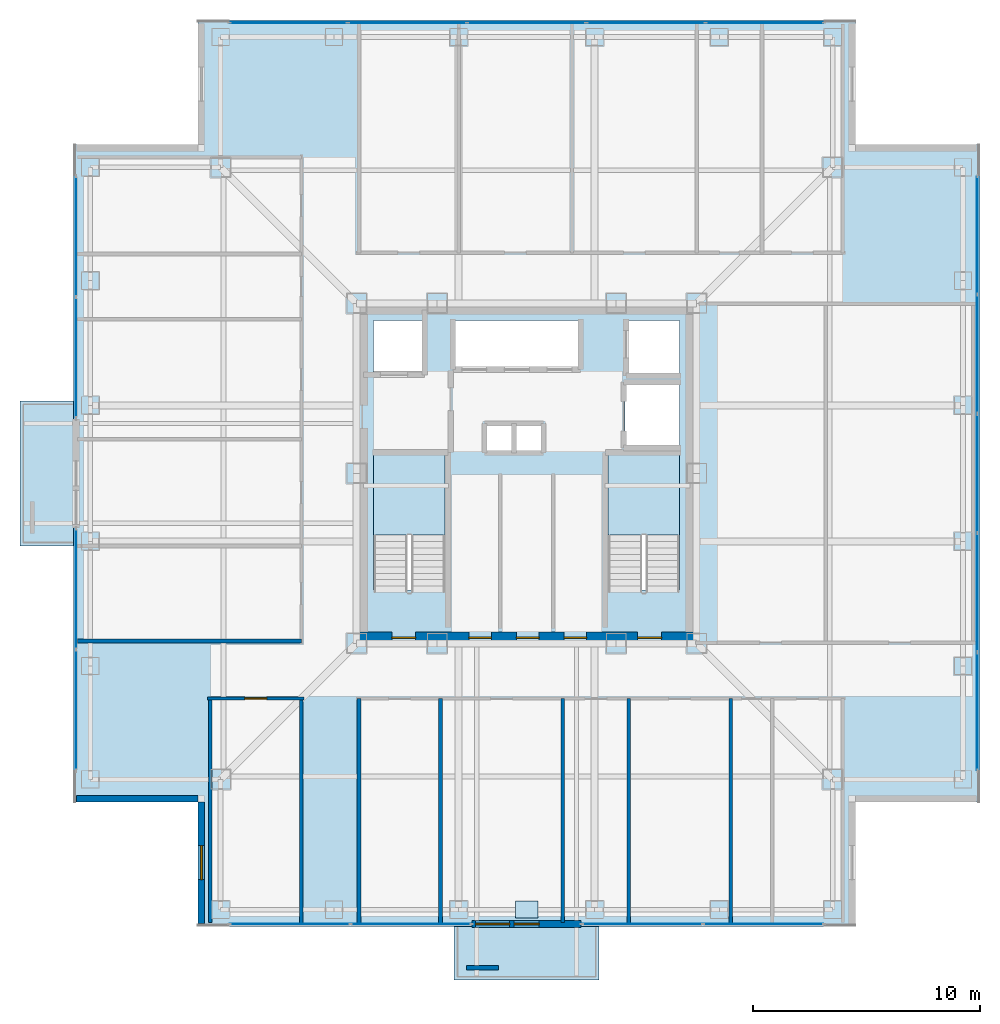
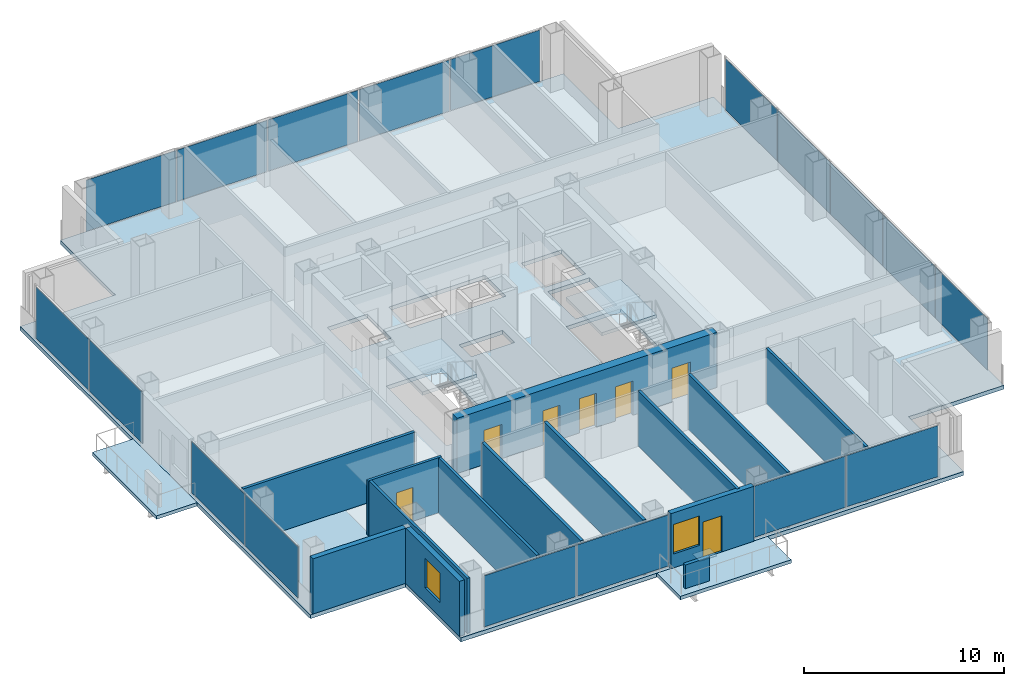
# One storey, part 10 of 16: 19 plates, 14 walls, 7 doors, 5 slabs, 2 windows, 9 openings, 8 elements without a shape of their own.
"""IFC4 building model written with IfcOpenShell, lengths in metres."""

from ifc_helpers import new_model, si_unit, direction, frame, frame_2d, origin, origin_2d, place, context, subcontext, project, spatial, polyline, rectangle, outline, extrude, material, layer, layer_set, type_object, element, fill, aggregate, save


model = new_model("IFC4")

# Units and contexts
model_context = context("Model", 3, precision=1e-05, world=origin(), true_north=direction((0.0, 1.0)))
body_context = subcontext(model_context, "Body", "Model", "MODEL_VIEW")
ifc_project = project(units=[si_unit("LENGTHUNIT", "METRE"), si_unit("AREAUNIT", "SQUARE_METRE"), si_unit("VOLUMEUNIT", "CUBIC_METRE"), si_unit("PLANEANGLEUNIT", "RADIAN"), si_unit("MASSUNIT", "GRAM", prefix="KILO")], contexts=[model_context])

# Site, building, storey
site_placement = place(None, origin())
site = spatial("IfcSite", under=ifc_project, at=site_placement, CompositionType="ELEMENT")
building_placement = place(site_placement, origin())
building = spatial("IfcBuilding", under=site, at=building_placement, Name="Trevonay Congress Spire", CompositionType="ELEMENT")
storey_placement = place(building_placement, frame((0.0, 0.0, 177.0)))
storey = spatial("IfcBuildingStorey", under=building, at=storey_placement, Name="L45", CompositionType="ELEMENT", Elevation=177.0)

# Curtain wall, plates
ifc_material_1 = material(Name="Pale Anodised Aluminium EN AW-6063-T6", Category="aluminium")
ifc_layer_1 = layer(ifc_material_1, 0.169921875, Name="Pale Anodised Aluminium EN AW-6063-T6")
ifc_layer_set_1 = layer_set([ifc_layer_1], Name="Pale Anodised Aluminium EN AW-6063-T6")
curtain_wall_type = type_object("IfcCurtainWallType", Name="CW-SYS04-CORP-PALE-METAL", PredefinedType="NOTDEFINED", material=ifc_layer_set_1)
curtain_wall_1_placement = place(storey_placement, origin())
curtain_wall_1 = element("IfcCurtainWall", 1, at=curtain_wall_1_placement, inside=storey, type_object=curtain_wall_type, Name="L45 SA unitised curtain wall", PredefinedType="NOTDEFINED")
ifc_material_2 = material(Name="Insulated Low-E Vision Glass IGU", Category="glass")
ifc_layer_2 = layer(ifc_material_2, 0.035888671875, Name="Insulated Low-E Vision Glass IGU")
ifc_layer_set_2 = layer_set([ifc_layer_2], Name="Insulated Low-E Vision Glass IGU")
plate_type_1 = type_object("IfcPlateType", Name="CW-PANEL-IGU36-SILVER", PredefinedType="CURTAIN_PANEL", material=ifc_layer_set_2)
plate_1_placement = place(storey_placement, frame((-10.447509765625, -19.8798828125, 0.119873046875), z_axis=(0.0, 0.0, 1.0), x_axis=(1.0, 0.0, 0.0)))
plate_1 = element("IfcPlate", 2, at=plate_1_placement, type_object=plate_type_1, Name="CW04 panel 1.1", PredefinedType="CURTAIN_PANEL", context=body_context, shape_type="SweptSolid", body=[
    extrude(rectangle(XDim=5.284912109375, YDim=0.035888671875, at=origin_2d()), origin(), (0.0, 0.0, 1.0), 3.1201171875),
])
plate_2_placement = place(storey_placement, frame((-5.1025390625, -19.8798828125, 0.119873046875), z_axis=(0.0, 0.0, 1.0), x_axis=(1.0, 0.0, 0.0)))
plate_2 = element("IfcPlate", 3, at=plate_2_placement, type_object=plate_type_1, Name="CW04 panel 2.1", PredefinedType="CURTAIN_PANEL", context=body_context, shape_type="SweptSolid", body=[
    extrude(rectangle(XDim=5.284912109375, YDim=0.035888671875, at=origin_2d()), origin(), (0.0, 0.0, 1.0), 3.1201171875),
])
aggregate(curtain_wall_1, [plate_1, plate_2])

curtain_wall_2_placement = place(storey_placement, origin())
curtain_wall_2 = element("IfcCurtainWall", 4, at=curtain_wall_2_placement, inside=storey, type_object=curtain_wall_type, Name="L45 SB unitised curtain wall", PredefinedType="NOTDEFINED")
plate_3_placement = place(storey_placement, frame((5.1025390625, -19.8798828125, 0.119873046875), z_axis=(0.0, 0.0, 1.0), x_axis=(1.0, 0.0, 0.0)))
plate_3 = element("IfcPlate", 5, at=plate_3_placement, type_object=plate_type_1, Name="CW04 panel 1.1", PredefinedType="CURTAIN_PANEL", context=body_context, shape_type="SweptSolid", body=[
    extrude(rectangle(XDim=5.284912109375, YDim=0.035888671875, at=origin_2d()), origin(), (0.0, 0.0, 1.0), 3.1201171875),
])
plate_4_placement = place(storey_placement, frame((10.447509765625, -19.8798828125, 0.119873046875), z_axis=(0.0, 0.0, 1.0), x_axis=(1.0, 0.0, 0.0)))
plate_4 = element("IfcPlate", 6, at=plate_4_placement, type_object=plate_type_1, Name="CW04 panel 2.1", PredefinedType="CURTAIN_PANEL", context=body_context, shape_type="SweptSolid", body=[
    extrude(rectangle(XDim=5.284912109375, YDim=0.035888671875, at=origin_2d()), origin(), (0.0, 0.0, 1.0), 3.1201171875),
])
aggregate(curtain_wall_2, [plate_3, plate_4])

curtain_wall_3_placement = place(storey_placement, origin())
curtain_wall_3 = element("IfcCurtainWall", 7, at=curtain_wall_3_placement, inside=storey, type_object=curtain_wall_type, Name="L45 N unitised curtain wall", PredefinedType="NOTDEFINED")
plate_5_placement = place(storey_placement, frame((-10.5048828125, 19.8798828125, 0.119873046875), z_axis=(0.0, 0.0, 1.0), x_axis=(1.0, 0.0, 0.0)))
plate_5 = element("IfcPlate", 8, at=plate_5_placement, type_object=plate_type_1, Name="CW04 panel 1.1", PredefinedType="CURTAIN_PANEL", context=body_context, shape_type="SweptSolid", body=[
    extrude(rectangle(XDim=5.169921875, YDim=0.035888671875, at=origin_2d()), origin(), (0.0, 0.0, 1.0), 3.1201171875),
])
plate_6_placement = place(storey_placement, frame((-5.260009765625, 19.8798828125, 0.119873046875), z_axis=(0.0, 0.0, 1.0), x_axis=(1.0, 0.0, 0.0)))
plate_6 = element("IfcPlate", 9, at=plate_6_placement, type_object=plate_type_1, Name="CW04 panel 2.1", PredefinedType="CURTAIN_PANEL", context=body_context, shape_type="SweptSolid", body=[
    extrude(rectangle(XDim=5.199951171875, YDim=0.035888671875, at=origin_2d()), origin(), (0.0, 0.0, 1.0), 3.1201171875),
])
plate_7_placement = place(storey_placement, frame((0.0, 19.8798828125, 0.119873046875), z_axis=(0.0, 0.0, 1.0), x_axis=(1.0, 0.0, 0.0)))
plate_7 = element("IfcPlate", 10, at=plate_7_placement, type_object=plate_type_1, Name="CW04 panel 3.1", PredefinedType="CURTAIN_PANEL", context=body_context, shape_type="SweptSolid", body=[
    extrude(rectangle(XDim=5.199951171875, YDim=0.035888671875, at=origin_2d()), origin(), (0.0, 0.0, 1.0), 3.1201171875),
])
plate_8_placement = place(storey_placement, frame((5.260009765625, 19.8798828125, 0.119873046875), z_axis=(0.0, 0.0, 1.0), x_axis=(1.0, 0.0, 0.0)))
plate_8 = element("IfcPlate", 11, at=plate_8_placement, type_object=plate_type_1, Name="CW04 panel 4.1", PredefinedType="CURTAIN_PANEL", context=body_context, shape_type="SweptSolid", body=[
    extrude(rectangle(XDim=5.199951171875, YDim=0.035888671875, at=origin_2d()), origin(), (0.0, 0.0, 1.0), 3.1201171875),
])
plate_9_placement = place(storey_placement, frame((10.5048828125, 19.8798828125, 0.119873046875), z_axis=(0.0, 0.0, 1.0), x_axis=(1.0, 0.0, 0.0)))
plate_9 = element("IfcPlate", 12, at=plate_9_placement, type_object=plate_type_1, Name="CW04 panel 5.1", PredefinedType="CURTAIN_PANEL", context=body_context, shape_type="SweptSolid", body=[
    extrude(rectangle(XDim=5.169921875, YDim=0.035888671875, at=origin_2d()), origin(), (0.0, 0.0, 1.0), 3.1201171875),
])
aggregate(curtain_wall_3, [plate_5, plate_6, plate_7, plate_8, plate_9])

curtain_wall_4_placement = place(storey_placement, origin())
curtain_wall_4 = element("IfcCurtainWall", 13, at=curtain_wall_4_placement, inside=storey, type_object=curtain_wall_type, Name="L45 WA unitised curtain wall", PredefinedType="NOTDEFINED")
plate_10_placement = place(storey_placement, frame((-19.8798828125, -10.447509765625, 0.119873046875), z_axis=(0.0, 0.0, 1.0), x_axis=(0.0, 1.0, 0.0)))
plate_10 = element("IfcPlate", 14, at=plate_10_placement, type_object=plate_type_1, Name="CW04 panel 1.1", PredefinedType="CURTAIN_PANEL", context=body_context, shape_type="SweptSolid", body=[
    extrude(rectangle(XDim=5.284912109375, YDim=0.035888671875, at=origin_2d()), origin(), (0.0, 0.0, 1.0), 3.1201171875),
])
plate_11_placement = place(storey_placement, frame((-19.8798828125, -5.1025390625, 0.119873046875), z_axis=(0.0, 0.0, 1.0), x_axis=(0.0, 1.0, 0.0)))
plate_11 = element("IfcPlate", 15, at=plate_11_placement, type_object=plate_type_1, Name="CW04 panel 2.1", PredefinedType="CURTAIN_PANEL", context=body_context, shape_type="SweptSolid", body=[
    extrude(rectangle(XDim=5.284912109375, YDim=0.035888671875, at=origin_2d()), origin(), (0.0, 0.0, 1.0), 3.1201171875),
])
aggregate(curtain_wall_4, [plate_10, plate_11])

curtain_wall_5_placement = place(storey_placement, origin())
curtain_wall_5 = element("IfcCurtainWall", 16, at=curtain_wall_5_placement, inside=storey, type_object=curtain_wall_type, Name="L45 WB unitised curtain wall", PredefinedType="NOTDEFINED")
plate_12_placement = place(storey_placement, frame((-19.8798828125, 5.1025390625, 0.119873046875), z_axis=(0.0, 0.0, 1.0), x_axis=(0.0, 1.0, 0.0)))
plate_12 = element("IfcPlate", 17, at=plate_12_placement, type_object=plate_type_1, Name="CW04 panel 1.1", PredefinedType="CURTAIN_PANEL", context=body_context, shape_type="SweptSolid", body=[
    extrude(rectangle(XDim=5.284912109375, YDim=0.035888671875, at=origin_2d()), origin(), (0.0, 0.0, 1.0), 3.1201171875),
])
plate_13_placement = place(storey_placement, frame((-19.8798828125, 10.447509765625, 0.119873046875), z_axis=(0.0, 0.0, 1.0), x_axis=(0.0, 1.0, 0.0)))
plate_13 = element("IfcPlate", 18, at=plate_13_placement, type_object=plate_type_1, Name="CW04 panel 2.1", PredefinedType="CURTAIN_PANEL", context=body_context, shape_type="SweptSolid", body=[
    extrude(rectangle(XDim=5.284912109375, YDim=0.035888671875, at=origin_2d()), origin(), (0.0, 0.0, 1.0), 3.1201171875),
])
aggregate(curtain_wall_5, [plate_12, plate_13])

curtain_wall_6_placement = place(storey_placement, origin())
curtain_wall_6 = element("IfcCurtainWall", 19, at=curtain_wall_6_placement, inside=storey, type_object=curtain_wall_type, Name="L45 E unitised curtain wall", PredefinedType="NOTDEFINED")
plate_14_placement = place(storey_placement, frame((19.8798828125, -10.5048828125, 0.119873046875), z_axis=(0.0, 0.0, 1.0), x_axis=(0.0, 1.0, 0.0)))
plate_14 = element("IfcPlate", 20, at=plate_14_placement, type_object=plate_type_1, Name="CW04 panel 1.1", PredefinedType="CURTAIN_PANEL", context=body_context, shape_type="SweptSolid", body=[
    extrude(rectangle(XDim=5.169921875, YDim=0.035888671875, at=origin_2d()), origin(), (0.0, 0.0, 1.0), 3.1201171875),
])
plate_15_placement = place(storey_placement, frame((19.8798828125, -5.260009765625, 0.119873046875), z_axis=(0.0, 0.0, 1.0), x_axis=(0.0, 1.0, 0.0)))
plate_15 = element("IfcPlate", 21, at=plate_15_placement, type_object=plate_type_1, Name="CW04 panel 2.1", PredefinedType="CURTAIN_PANEL", context=body_context, shape_type="SweptSolid", body=[
    extrude(rectangle(XDim=5.199951171875, YDim=0.035888671875, at=origin_2d()), origin(), (0.0, 0.0, 1.0), 3.1201171875),
])
plate_16_placement = place(storey_placement, frame((19.8798828125, 0.0, 0.119873046875), z_axis=(0.0, 0.0, 1.0), x_axis=(0.0, 1.0, 0.0)))
plate_16 = element("IfcPlate", 22, at=plate_16_placement, type_object=plate_type_1, Name="CW04 panel 3.1", PredefinedType="CURTAIN_PANEL", context=body_context, shape_type="SweptSolid", body=[
    extrude(rectangle(XDim=5.199951171875, YDim=0.035888671875, at=origin_2d()), origin(), (0.0, 0.0, 1.0), 3.1201171875),
])
plate_17_placement = place(storey_placement, frame((19.8798828125, 5.260009765625, 0.119873046875), z_axis=(0.0, 0.0, 1.0), x_axis=(0.0, 1.0, 0.0)))
plate_17 = element("IfcPlate", 23, at=plate_17_placement, type_object=plate_type_1, Name="CW04 panel 4.1", PredefinedType="CURTAIN_PANEL", context=body_context, shape_type="SweptSolid", body=[
    extrude(rectangle(XDim=5.199951171875, YDim=0.035888671875, at=origin_2d()), origin(), (0.0, 0.0, 1.0), 3.1201171875),
])
plate_18_placement = place(storey_placement, frame((19.8798828125, 10.5048828125, 0.119873046875), z_axis=(0.0, 0.0, 1.0), x_axis=(0.0, 1.0, 0.0)))
plate_18 = element("IfcPlate", 24, at=plate_18_placement, type_object=plate_type_1, Name="CW04 panel 5.1", PredefinedType="CURTAIN_PANEL", context=body_context, shape_type="SweptSolid", body=[
    extrude(rectangle(XDim=5.169921875, YDim=0.035888671875, at=origin_2d()), origin(), (0.0, 0.0, 1.0), 3.1201171875),
])
aggregate(curtain_wall_6, [plate_14, plate_15, plate_16, plate_17, plate_18])

# Plate
ifc_material_3 = material(Name="Steel ASTM A572 Grade 50", Category="steel")
ifc_layer_3 = layer(ifc_material_3, 0.034912109375, Name="Steel ASTM A572 Grade 50")
ifc_layer_set_3 = layer_set([ifc_layer_3], Name="Steel ASTM A572 Grade 50")
plate_type_2 = type_object("IfcPlateType", Name="PLT-GUSSET-EXT-35", PredefinedType="USERDEFINED", material=ifc_layer_set_3)
plate_19_placement = place(storey_placement, frame((0.0, -19.25, -0.4873046875), z_axis=(0.0, 0.0, 1.0), x_axis=(1.0, 0.0, 0.0)))
element("IfcPlate", 25, at=plate_19_placement, inside=storey, type_object=plate_type_2, Name="L45 cantilevered tree-balcony lookout gusset plate CN-01", ObjectType="GUSSET_PLATE", PredefinedType="USERDEFINED", context=body_context, shape_type="SweptSolid", body=[
    extrude(rectangle(XDim=1.0, YDim=0.75, at=origin_2d()), origin(), (0.0, 0.0, 1.0), 0.034912109375),
])

# Stair, slab
ifc_material_4 = material(Name="Concrete C40/50", Category="concrete")
stair_type_1 = type_object("IfcStairType", Name="STR-ST-1", PredefinedType="HALF_TURN_STAIR", material=ifc_material_4)
stair_1_placement = place(storey_placement, origin())
stair_1 = element("IfcStair", 26, at=stair_1_placement, inside=storey, type_object=stair_type_1, Name="L45 Protected Exit Stair ST-1", PredefinedType="HALF_TURN_STAIR")
ifc_layer_4 = layer(ifc_material_4, 0.199951171875, Name="Concrete C40/50")
ifc_layer_set_4 = layer_set([ifc_layer_4], Name="Concrete C40/50")
slab_type_1 = type_object("IfcSlabType", Name="SLB-STAIR-LAND-200", PredefinedType="LANDING", material=ifc_layer_set_4)
slab_1_placement = place(storey_placement, frame((0.0, 0.0, 1.60009765625)))
slab_1 = element("IfcSlab", 27, at=slab_1_placement, type_object=slab_type_1, Name="ST-1 landing 1", PredefinedType="LANDING", context=body_context, shape_type="SweptSolid", body=[
    extrude(outline(polyline([(-3.60009765625, -2.72998046875), (-3.60009765625, 0.85009765625), (-6.75, 0.85009765625), (-6.75, -2.72998046875), (-3.60009765625, -2.72998046875)])), origin(), (0.0, 0.0, 1.0), 0.199951171875),
])
aggregate(stair_1, [slab_1])

stair_type_2 = type_object("IfcStairType", Name="STR-ST-2", PredefinedType="HALF_TURN_STAIR", material=ifc_material_4)
stair_2_placement = place(storey_placement, origin())
stair_2 = element("IfcStair", 28, at=stair_2_placement, inside=storey, type_object=stair_type_2, Name="L45 Protected Exit Stair ST-2", PredefinedType="HALF_TURN_STAIR")
slab_2_placement = place(storey_placement, frame((0.0, 0.0, 1.60009765625)))
slab_2 = element("IfcSlab", 29, at=slab_2_placement, type_object=slab_type_1, Name="ST-2 landing 1", PredefinedType="LANDING", context=body_context, shape_type="SweptSolid", body=[
    extrude(outline(polyline([(6.75, -2.72998046875), (6.75, 0.85009765625), (3.60009765625, 0.85009765625), (3.60009765625, -2.72998046875), (6.75, -2.72998046875)])), origin(), (0.0, 0.0, 1.0), 0.199951171875),
])
aggregate(stair_2, [slab_2])

# Slabs
ifc_layer_5 = layer(ifc_material_4, 0.239990234375, Name="Concrete C40/50")
ifc_layer_set_5 = layer_set([ifc_layer_5], Name="Concrete C40/50")
slab_type_2 = type_object("IfcSlabType", Name="SLB-TOW2-240", PredefinedType="FLOOR", material=ifc_layer_set_5)
slab_3_placement = place(storey_placement, frame((0.0, 0.0, -0.239990234375)))
element("IfcSlab", 30, at=slab_3_placement, inside=storey, type_object=slab_type_2, Name="L45 structural floor slab", PredefinedType="FLOOR", context=body_context, shape_type="SweptSolid", body=[
    extrude(outline(polyline([(-14.5, -20.0), (14.5, -20.0), (14.5, -14.5), (20.0, -14.5), (20.0, 14.5), (14.5, 14.5), (14.5, 20.0), (-14.5, 20.0), (-14.5, 14.5), (-20.0, 14.5), (-20.0, -14.5), (-14.5, -14.5), (-14.5, -20.0)]), holes=[polyline([(-3.60009765625, -5.14990234375), (-3.60009765625, 0.85009765625), (-6.75, 0.85009765625), (-6.75, -5.14990234375), (-3.60009765625, -5.14990234375)]), polyline([(6.75, -5.14990234375), (6.75, 0.85009765625), (3.60009765625, 0.85009765625), (3.60009765625, -5.14990234375), (6.75, -5.14990234375)]), polyline([(-3.199951171875, 4.64990234375), (2.340087890625, 4.64990234375), (2.340087890625, 6.75), (-3.199951171875, 6.75), (-3.199951171875, 4.64990234375)]), polyline([(-6.75, 4.35009765625), (-4.449951171875, 4.35009765625), (-4.449951171875, 6.75), (-6.75, 6.75), (-6.75, 4.35009765625)]), polyline([(4.449951171875, 4.35009765625), (6.75, 4.35009765625), (6.75, 6.75), (4.449951171875, 6.75), (4.449951171875, 4.35009765625)]), polyline([(4.35009765625, 1.199951171875), (6.75, 1.199951171875), (6.75, 3.949951171875), (4.35009765625, 3.949951171875), (4.35009765625, 1.199951171875)]), polyline([(-1.800048828125, 0.949951171875), (0.699951171875, 0.949951171875), (0.699951171875, 2.14990234375), (-1.800048828125, 2.14990234375), (-1.800048828125, 0.949951171875)])]), origin(), (0.0, 0.0, 1.0), 0.239990234375),
])
ifc_layer_6 = layer(ifc_material_4, 0.2099609375, Name="Concrete C40/50")
ifc_layer_set_6 = layer_set([ifc_layer_6], Name="Concrete C40/50")
slab_type_3 = type_object("IfcSlabType", Name="SLB-TREEBAL-210", PredefinedType="FLOOR", material=ifc_layer_set_6)
slab_4_placement = place(storey_placement, frame((0.0, 0.0, -0.2099609375)))
element("IfcSlab", 31, at=slab_4_placement, inside=storey, type_object=slab_type_3, Name="L45 cantilevered tree-planter balcony pod S", PredefinedType="FLOOR", context=body_context, shape_type="SweptSolid", body=[
    extrude(outline(polyline([(-3.199951171875, -22.35009765625), (3.199951171875, -22.35009765625), (3.199951171875, -20.0), (-3.199951171875, -20.0), (-3.199951171875, -22.35009765625)])), origin(), (0.0, 0.0, 1.0), 0.2099609375),
])
slab_5_placement = place(storey_placement, frame((0.0, 0.0, -0.2099609375)))
element("IfcSlab", 32, at=slab_5_placement, inside=storey, type_object=slab_type_3, Name="L45 cantilevered tree-planter balcony pod W", PredefinedType="FLOOR", context=body_context, shape_type="SweptSolid", body=[
    extrude(outline(polyline([(-22.35009765625, -3.199951171875), (-20.0, -3.199951171875), (-20.0, 3.199951171875), (-22.35009765625, 3.199951171875), (-22.35009765625, -3.199951171875)])), origin(), (0.0, 0.0, 1.0), 0.2099609375),
])

# Wall, openings, doors
ifc_material_5 = material(Name="Concrete C50/60", Category="concrete")
ifc_layer_7 = layer(ifc_material_5, 0.5, Name="Concrete C50/60")
ifc_layer_set_7 = layer_set([ifc_layer_7], Name="Concrete C50/60")
wall_type_1 = type_object("IfcWallType", Name="WAL-CORE-500", PredefinedType="SHEAR", material=ifc_layer_set_7)
wall_1_placement = place(storey_placement, frame((-7.5, -7.25, 0.0), z_axis=(0.0, 0.0, 1.0), x_axis=(1.0, 0.0, 0.0)))
wall_1 = element("IfcWall", 33, at=wall_1_placement, inside=storey, type_object=wall_type_1, Name="L45 South structural core shear wall", PredefinedType="SHEAR", context=body_context, shape_type="SweptSolid", body=[
    extrude(rectangle(XDim=15.0, YDim=0.5, at=frame_2d((7.5, 0.0))), origin(), (0.0, 0.0, 1.0), 3.360107421875),
])
opening_1_placement = place(wall_1_placement, frame((1.550048828125, 0.0, 0.0)))
opening_1 = element("IfcOpeningElement", 34, at=opening_1_placement, cuts=wall_1, Name="Opening D05", PredefinedType="OPENING", context=body_context, shape_type="SweptSolid", body=[
    extrude(rectangle(XDim=1.050048828125, YDim=2.080078125, at=frame_2d((0.52490234375, 1.0400390625))), frame((0.0, 0.260009765625, 0.0), z_axis=(0.0, -1.0, 0.0), x_axis=(1.0, 0.0, 0.0)), (0.0, 0.0, 1.0), 0.52001953125),
])
opening_2_placement = place(wall_1_placement, frame((12.39990234375, 0.0, 0.0)))
opening_2 = element("IfcOpeningElement", 35, at=opening_2_placement, cuts=wall_1, Name="Opening D05", PredefinedType="OPENING", context=body_context, shape_type="SweptSolid", body=[
    extrude(rectangle(XDim=1.050048828125, YDim=2.080078125, at=frame_2d((0.52490234375, 1.0400390625))), frame((0.0, 0.260009765625, 0.0), z_axis=(0.0, -1.0, 0.0), x_axis=(1.0, 0.0, 0.0)), (0.0, 0.0, 1.0), 0.52001953125),
])
opening_3_placement = place(wall_1_placement, frame((4.949951171875, 0.0, 0.0)))
opening_3 = element("IfcOpeningElement", 36, at=opening_3_placement, cuts=wall_1, Name="Opening D06", PredefinedType="OPENING", context=body_context, shape_type="SweptSolid", body=[
    extrude(rectangle(XDim=1.0, YDim=2.080078125, at=frame_2d((0.5, 1.0400390625))), frame((0.0, 0.260009765625, 0.0), z_axis=(0.0, -1.0, 0.0), x_axis=(1.0, 0.0, 0.0)), (0.0, 0.0, 1.0), 0.52001953125),
])
opening_4_placement = place(wall_1_placement, frame((7.050048828125, 0.0, 0.0)))
opening_4 = element("IfcOpeningElement", 37, at=opening_4_placement, cuts=wall_1, Name="Opening D06", PredefinedType="OPENING", context=body_context, shape_type="SweptSolid", body=[
    extrude(rectangle(XDim=1.0, YDim=2.080078125, at=frame_2d((0.5, 1.0400390625))), frame((0.0, 0.260009765625, 0.0), z_axis=(0.0, -1.0, 0.0), x_axis=(1.0, 0.0, 0.0)), (0.0, 0.0, 1.0), 0.52001953125),
])
opening_5_placement = place(wall_1_placement, frame((9.14990234375, 0.0, 0.0)))
opening_5 = element("IfcOpeningElement", 38, at=opening_5_placement, cuts=wall_1, Name="Opening D06", PredefinedType="OPENING", context=body_context, shape_type="SweptSolid", body=[
    extrude(rectangle(XDim=1.0, YDim=2.080078125, at=frame_2d((0.5, 1.0400390625))), frame((0.0, 0.260009765625, 0.0), z_axis=(0.0, -1.0, 0.0), x_axis=(1.0, 0.0, 0.0)), (0.0, 0.0, 1.0), 0.52001953125),
])
door_type_1 = type_object("IfcDoorType", Name="DOR-FIRE-100", OperationType="NOTDEFINED", PredefinedType="DOOR", material=ifc_material_3)
door_1_placement = place(opening_3_placement, origin())
door_1 = element("IfcDoor", 39, at=door_1_placement, inside=storey, type_object=door_type_1, Name="L45 South Core Room 1 Door", OperationType="SINGLE_SWING_RIGHT", OverallHeight=2.080078125, OverallWidth=1.0, PredefinedType="DOOR", context=body_context, shape_type="SweptSolid", body=[
    extrude(rectangle(XDim=1.0, YDim=2.080078125, at=frame_2d((0.5, 1.0400390625))), frame((0.0, 0.02490234375, 0.0), z_axis=(0.0, -1.0, 0.0), x_axis=(1.0, 0.0, 0.0)), (0.0, 0.0, 1.0), 0.050048828125),
])
fill(opening_3, door_1)
door_2_placement = place(opening_4_placement, origin())
door_2 = element("IfcDoor", 40, at=door_2_placement, inside=storey, type_object=door_type_1, Name="L45 South Core Room 2 Door", OperationType="SINGLE_SWING_LEFT", OverallHeight=2.080078125, OverallWidth=1.0, PredefinedType="DOOR", context=body_context, shape_type="SweptSolid", body=[
    extrude(rectangle(XDim=1.0, YDim=2.080078125, at=frame_2d((0.5, 1.0400390625))), frame((0.0, 0.02490234375, 0.0), z_axis=(0.0, -1.0, 0.0), x_axis=(1.0, 0.0, 0.0)), (0.0, 0.0, 1.0), 0.050048828125),
])
fill(opening_4, door_2)
door_3_placement = place(opening_5_placement, origin())
door_3 = element("IfcDoor", 41, at=door_3_placement, inside=storey, type_object=door_type_1, Name="L45 South Core Room 3 Door", OperationType="SINGLE_SWING_RIGHT", OverallHeight=2.080078125, OverallWidth=1.0, PredefinedType="DOOR", context=body_context, shape_type="SweptSolid", body=[
    extrude(rectangle(XDim=1.0, YDim=2.080078125, at=frame_2d((0.5, 1.0400390625))), frame((0.0, 0.02490234375, 0.0), z_axis=(0.0, -1.0, 0.0), x_axis=(1.0, 0.0, 0.0)), (0.0, 0.0, 1.0), 0.050048828125),
])
fill(opening_5, door_3)
door_type_2 = type_object("IfcDoorType", Name="DOR-STAIR-110", OperationType="NOTDEFINED", PredefinedType="DOOR", material=ifc_material_3)
door_4_placement = place(opening_1_placement, origin())
door_4 = element("IfcDoor", 42, at=door_4_placement, inside=storey, type_object=door_type_2, Name="L45 Protected Stair ST-1 Door", OperationType="SINGLE_SWING_LEFT", OverallHeight=2.080078125, OverallWidth=1.050048828125, PredefinedType="DOOR", context=body_context, shape_type="SweptSolid", body=[
    extrude(rectangle(XDim=1.050048828125, YDim=2.080078125, at=frame_2d((0.52490234375, 1.0400390625))), frame((0.0, 0.02490234375, 0.0), z_axis=(0.0, -1.0, 0.0), x_axis=(1.0, 0.0, 0.0)), (0.0, 0.0, 1.0), 0.050048828125),
])
fill(opening_1, door_4)
door_5_placement = place(opening_2_placement, origin())
door_5 = element("IfcDoor", 43, at=door_5_placement, inside=storey, type_object=door_type_2, Name="L45 Protected Stair ST-2 Door", OperationType="SINGLE_SWING_RIGHT", OverallHeight=2.080078125, OverallWidth=1.050048828125, PredefinedType="DOOR", context=body_context, shape_type="SweptSolid", body=[
    extrude(rectangle(XDim=1.050048828125, YDim=2.080078125, at=frame_2d((0.52490234375, 1.0400390625))), frame((0.0, 0.02490234375, 0.0), z_axis=(0.0, -1.0, 0.0), x_axis=(1.0, 0.0, 0.0)), (0.0, 0.0, 1.0), 0.050048828125),
])
fill(opening_2, door_5)

# Wall, opening, door
ifc_layer_8 = layer(ifc_material_4, 0.14990234375, Name="Concrete C40/50")
ifc_layer_set_8 = layer_set([ifc_layer_8], Name="Concrete C40/50")
wall_type_2 = type_object("IfcWallType", Name="WAL-CORR-150", PredefinedType="PARTITIONING", material=ifc_layer_set_8)
wall_2_placement = place(storey_placement, frame((-14.070068359375, -9.929931640625, 0.0), z_axis=(0.0, 0.0, 1.0), x_axis=(1.0, 0.0, 0.0)))
wall_2 = element("IfcWall", 44, at=wall_2_placement, inside=storey, type_object=wall_type_2, Name="L45 interior wall WP-L45SW-COR", PredefinedType="PARTITIONING", context=body_context, shape_type="SweptSolid", body=[
    extrude(rectangle(XDim=4.239990234375, YDim=0.14990234375, at=frame_2d((2.1201171875, 0.0))), origin(), (0.0, 0.0, 1.0), 3.360107421875),
])
opening_6_placement = place(wall_2_placement, frame((1.64501953125, 0.0, 0.0)))
opening_6 = element("IfcOpeningElement", 45, at=opening_6_placement, cuts=wall_2, Name="Opening D07", PredefinedType="OPENING", context=body_context, shape_type="SweptSolid", body=[
    extrude(rectangle(XDim=0.949951171875, YDim=2.06005859375, at=frame_2d((0.47509765625, 1.030029296875))), frame((0.0, 0.0849609375, 0.0), z_axis=(0.0, -1.0, 0.0), x_axis=(1.0, 0.0, 0.0)), (0.0, 0.0, 1.0), 0.169921875),
])
door_type_3 = type_object("IfcDoorType", Name="DOR-OFFICE-95", OperationType="NOTDEFINED", PredefinedType="DOOR", material=ifc_material_1)
door_6_placement = place(opening_6_placement, origin())
door_6 = element("IfcDoor", 46, at=door_6_placement, inside=storey, type_object=door_type_3, Name="L45 Senior Partner Corner Office Door", OperationType="SINGLE_SWING_RIGHT", OverallHeight=2.06005859375, OverallWidth=0.949951171875, PredefinedType="DOOR", context=body_context, shape_type="SweptSolid", body=[
    extrude(rectangle(XDim=0.949951171875, YDim=2.06005859375, at=frame_2d((0.47509765625, 1.030029296875))), frame((0.0, 0.02490234375, 0.0), z_axis=(0.0, -1.0, 0.0), x_axis=(1.0, 0.0, 0.0)), (0.0, 0.0, 1.0), 0.050048828125),
])
fill(opening_6, door_6)

# Wall, openings, door, window
ifc_material_6 = material(Name="Precast concrete C40/50", Category="concrete")
ifc_layer_9 = layer(ifc_material_6, 0.300048828125, Name="Precast concrete C40/50")
ifc_layer_set_9 = layer_set([ifc_layer_9], Name="Precast concrete C40/50")
wall_type_3 = type_object("IfcWallType", Name="WAL-EXT-PRECAST-300", PredefinedType="SOLIDWALL", material=ifc_layer_set_9)
wall_3_placement = place(storey_placement, frame((-2.39990234375, -19.8798828125, 0.0), z_axis=(0.0, 0.0, 1.0), x_axis=(1.0, 0.0, 0.0)))
wall_3 = element("IfcWall", 47, at=wall_3_placement, inside=storey, type_object=wall_type_3, Name="L45 S glazed balcony portal exterior wall", PredefinedType="SOLIDWALL", context=body_context, shape_type="SweptSolid", body=[
    extrude(rectangle(XDim=4.7998046875, YDim=0.300048828125, at=frame_2d((2.39990234375, 0.0))), origin(), (0.0, 0.0, 1.0), 3.360107421875),
])
opening_7_placement = place(wall_3_placement, frame((1.85009765625, 0.0, 0.0)))
opening_7 = element("IfcOpeningElement", 48, at=opening_7_placement, cuts=wall_3, Name="Opening D03", PredefinedType="OPENING", context=body_context, shape_type="SweptSolid", body=[
    extrude(rectangle(XDim=1.10009765625, YDim=2.199951171875, at=frame_2d((0.550048828125, 1.10009765625))), frame((0.0, 0.16015625, 0.0), z_axis=(0.0, -1.0, 0.0), x_axis=(1.0, 0.0, 0.0)), (0.0, 0.0, 1.0), 0.320068359375),
])
opening_8_placement = place(wall_3_placement, frame((0.14990234375, 0.0, 0.85009765625)))
opening_8 = element("IfcOpeningElement", 49, at=opening_8_placement, cuts=wall_3, Name="Opening WN03", PredefinedType="OPENING", context=body_context, shape_type="SweptSolid", body=[
    extrude(rectangle(XDim=1.5, YDim=1.800048828125, at=frame_2d((0.75, 0.89990234375))), frame((0.0, 0.16015625, 0.0), z_axis=(0.0, -1.0, 0.0), x_axis=(1.0, 0.0, 0.0)), (0.0, 0.0, 1.0), 0.320068359375),
])
door_type_4 = type_object("IfcDoorType", Name="DOR-EXT-BAL-110", OperationType="NOTDEFINED", PredefinedType="DOOR", material=ifc_material_1)
door_7_placement = place(opening_7_placement, origin())
door_7 = element("IfcDoor", 50, at=door_7_placement, inside=storey, type_object=door_type_4, Name="L45 S glazed outdoor terrace and balcony door", OperationType="SINGLE_SWING_LEFT", OverallHeight=2.199951171875, OverallWidth=1.10009765625, PredefinedType="DOOR", context=body_context, shape_type="SweptSolid", body=[
    extrude(rectangle(XDim=1.10009765625, YDim=2.199951171875, at=frame_2d((0.550048828125, 1.10009765625))), frame((0.0, 0.02490234375, 0.0), z_axis=(0.0, -1.0, 0.0), x_axis=(1.0, 0.0, 0.0)), (0.0, 0.0, 1.0), 0.050048828125),
])
fill(opening_7, door_7)
window_type = type_object("IfcWindowType", Name="WIN-NOTCH-150X180", PartitioningType="SINGLE_PANEL", PredefinedType="WINDOW", material=ifc_material_2)
window_1_placement = place(opening_8_placement, origin())
window_1 = element("IfcWindow", 51, at=window_1_placement, inside=storey, type_object=window_type, Name="L45 S balcony sidelight window L", OverallHeight=1.800048828125, OverallWidth=1.5, PartitioningType="SINGLE_PANEL", PredefinedType="WINDOW", context=body_context, shape_type="SweptSolid", body=[
    extrude(rectangle(XDim=1.5, YDim=1.800048828125, at=frame_2d((0.75, 0.89990234375))), frame((0.0, 0.030029296875, 0.0), z_axis=(0.0, -1.0, 0.0), x_axis=(1.0, 0.0, 0.0)), (0.0, 0.0, 1.0), 0.06005859375),
])
fill(opening_8, window_1)

# Wall, opening, window
wall_4_placement = place(storey_placement, frame((-14.35009765625, -19.85009765625, 0.0), z_axis=(0.0, 0.0, 1.0), x_axis=(0.0, 1.0, 0.0)))
wall_4 = element("IfcWall", 52, at=wall_4_placement, inside=storey, type_object=wall_type_3, Name="L45 SW re-entrant notch exterior wall 1", PredefinedType="SOLIDWALL", context=body_context, shape_type="SweptSolid", body=[
    extrude(rectangle(XDim=5.35009765625, YDim=0.300048828125, at=frame_2d((2.675048828125, 0.0))), origin(), (0.0, 0.0, 1.0), 3.360107421875),
])
opening_9_placement = place(wall_4_placement, frame((1.925048828125, 0.0, 0.89990234375)))
opening_9 = element("IfcOpeningElement", 53, at=opening_9_placement, cuts=wall_4, Name="Opening WN03", PredefinedType="OPENING", context=body_context, shape_type="SweptSolid", body=[
    extrude(rectangle(XDim=1.5, YDim=1.800048828125, at=frame_2d((0.75, 0.89990234375))), frame((0.0, 0.16015625, 0.0), z_axis=(0.0, -1.0, 0.0), x_axis=(1.0, 0.0, 0.0)), (0.0, 0.0, 1.0), 0.320068359375),
])
window_2_placement = place(opening_9_placement, origin())
window_2 = element("IfcWindow", 54, at=window_2_placement, inside=storey, type_object=window_type, Name="L45 SW corner notch window", OverallHeight=1.800048828125, OverallWidth=1.5, PartitioningType="SINGLE_PANEL", PredefinedType="WINDOW", context=body_context, shape_type="SweptSolid", body=[
    extrude(rectangle(XDim=1.5, YDim=1.800048828125, at=frame_2d((0.75, 0.89990234375))), frame((0.0, 0.030029296875, 0.0), z_axis=(0.0, -1.0, 0.0), x_axis=(1.0, 0.0, 0.0)), (0.0, 0.0, 1.0), 0.06005859375),
])
fill(opening_9, window_2)

# Walls
wall_5_placement = place(storey_placement, frame((-19.85009765625, -14.35009765625, 0.0), z_axis=(0.0, 0.0, 1.0), x_axis=(1.0, 0.0, 0.0)))
element("IfcWall", 55, at=wall_5_placement, inside=storey, type_object=wall_type_3, Name="L45 SW re-entrant notch exterior wall 2", PredefinedType="SOLIDWALL", context=body_context, shape_type="SweptSolid", body=[
    extrude(rectangle(XDim=5.35009765625, YDim=0.300048828125, at=frame_2d((2.675048828125, 0.0))), origin(), (0.0, 0.0, 1.0), 3.360107421875),
])
ifc_layer_10 = layer(ifc_material_4, 0.14990234375, Name="Concrete C40/50")
ifc_layer_set_10 = layer_set([ifc_layer_10], Name="Concrete C40/50")
wall_type_4 = type_object("IfcWallType", Name="WAL-PART-150", PredefinedType="PARTITIONING", material=ifc_layer_set_10)
for number, where, z_axis, x_axis, name in (
    (56, (-13.949951171875, -19.820068359375, 0.0), (0.0, 0.0, 1.0), (0.0, 1.0, 0.0), "L45 interior wall WP-L45SW-DIV1"),
    (57, (-9.949951171875, -19.820068359375, 0.0), (0.0, 0.0, 1.0), (0.0, 1.0, 0.0), "L45 interior wall WP-L45SW-DIV2"),
    (58, (1.60009765625, -19.820068359375, 0.0), (0.0, 0.0, 1.0), (0.0, 1.0, 0.0), "L45 interior wall WP-L45SE-DIV3"),
    (59, (4.5, -19.820068359375, 0.0), (0.0, 0.0, 1.0), (0.0, 1.0, 0.0), "L45 interior wall WP-L45SE-DIV4"),
    (60, (9.0, -19.820068359375, 0.0), (0.0, 0.0, 1.0), (0.0, 1.0, 0.0), "L45 interior wall WP-L45SE-DIV5"),
):
    element("IfcWall", number, at=place(storey_placement, frame(where, z_axis=z_axis, x_axis=x_axis)), inside=storey, type_object=wall_type_4, Name=name, PredefinedType="PARTITIONING", context=body_context, shape_type="SweptSolid", body=[
        extrude(rectangle(XDim=9.89013671875, YDim=0.14990234375, at=frame_2d((4.945068359375, 0.0))), origin(), (0.0, 0.0, 1.0), 3.360107421875),
    ])
ifc_layer_11 = layer(ifc_material_6, 0.199951171875, Name="Precast concrete C40/50")
ifc_layer_set_11 = layer_set([ifc_layer_11], Name="Precast concrete C40/50")
wall_type_5 = type_object("IfcWallType", Name="WAL-TREE-PLANTER-200", PredefinedType="PARAPET", material=ifc_layer_set_11)
wall_6_placement = place(storey_placement, frame((-2.64990234375, -21.800048828125, 0.0), z_axis=(0.0, 0.0, 1.0), x_axis=(1.0, 0.0, 0.0)))
element("IfcWall", 61, at=wall_6_placement, inside=storey, type_object=wall_type_5, Name="L45 S cantilevered balcony tree planter box", PredefinedType="PARAPET", context=body_context, shape_type="SweptSolid", body=[
    extrude(rectangle(XDim=1.39990234375, YDim=0.199951171875, at=frame_2d((0.699951171875, 0.0))), origin(), (0.0, 0.0, 1.0), 1.449951171875),
])
ifc_layer_12 = layer(ifc_material_4, 0.1650390625, Name="Concrete C40/50")
ifc_layer_set_12 = layer_set([ifc_layer_12], Name="Concrete C40/50")
wall_type_6 = type_object("IfcWallType", Name="WAL-WET-165", PredefinedType="PLUMBINGWALL", material=ifc_layer_set_12)
for number, where, z_axis, x_axis, name in (
    (62, (-7.39990234375, -19.820068359375, 0.0), (0.0, 0.0, 1.0), (0.0, 1.0, 0.0), "L45 interior wall WP-L45SE-DIV1"),
    (63, (-3.800048828125, -19.820068359375, 0.0), (0.0, 0.0, 1.0), (0.0, 1.0, 0.0), "L45 interior wall WP-L45SE-DIV2"),
    (64, (-19.820068359375, -7.39990234375, 0.0), (0.0, 0.0, 1.0), (1.0, 0.0, 0.0), "L45 interior wall WP-L45NW-DIV1"),
):
    element("IfcWall", number, at=place(storey_placement, frame(where, z_axis=z_axis, x_axis=x_axis)), inside=storey, type_object=wall_type_6, Name=name, PredefinedType="PLUMBINGWALL", context=body_context, shape_type="SweptSolid", body=[
        extrude(rectangle(XDim=9.89013671875, YDim=0.1650390625, at=frame_2d((4.945068359375, 0.0))), origin(), (0.0, 0.0, 1.0), 3.360107421875),
    ])

save(model, "model.ifc")
